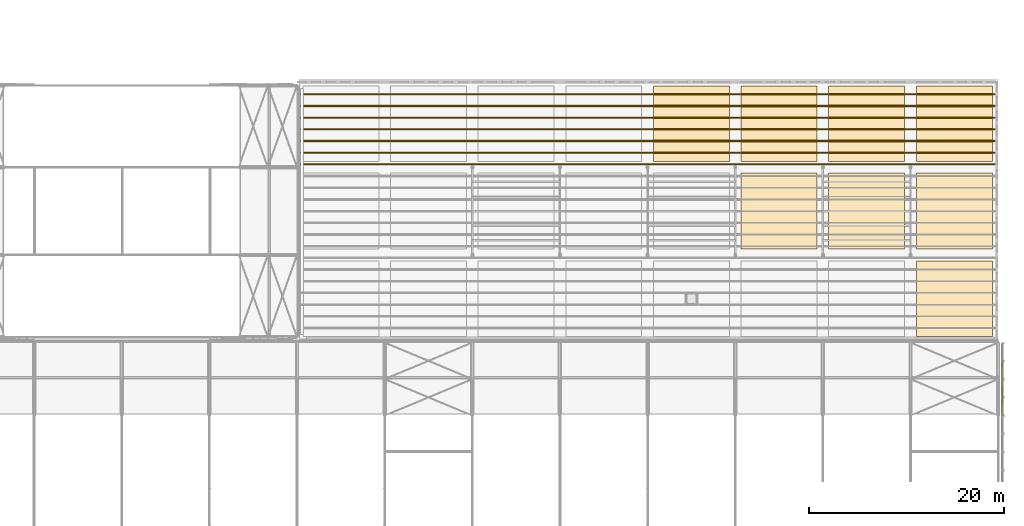
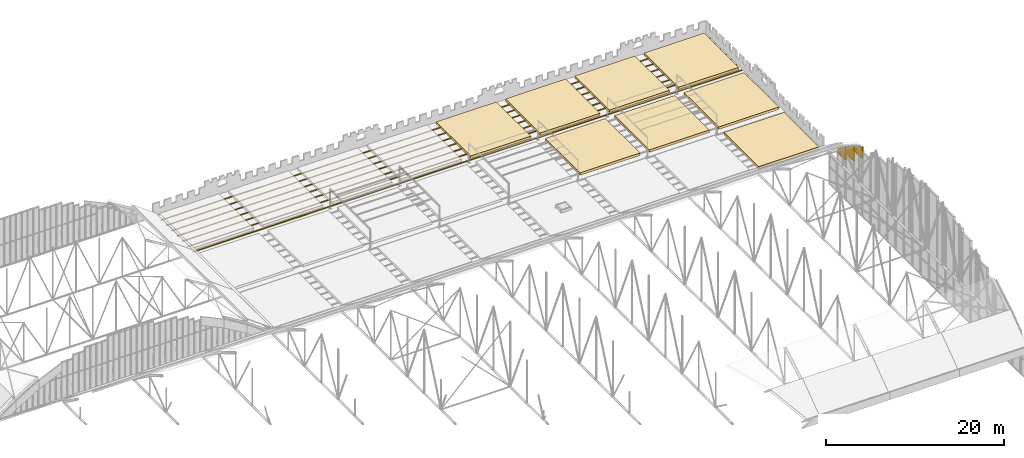
# One storey, part 147 of 153: 18 coverings.
"""IFC4 building model written with IfcOpenShell, lengths in metres."""

from ifc_helpers import new_model, si_unit, direction, frame, origin, place, context, subcontext, project, spatial, polyline, outline, extrude, material, layer, layer_set, type_object, element, save


model = new_model("IFC4")

# Units and contexts
model_context = context("Model", 3, precision=1e-05, world=origin(), true_north=direction((0.0, 1.0)))
body_context = subcontext(model_context, "Body", "Model", "MODEL_VIEW")
ifc_project = project(units=[si_unit("LENGTHUNIT", "METRE"), si_unit("AREAUNIT", "SQUARE_METRE"), si_unit("VOLUMEUNIT", "CUBIC_METRE"), si_unit("PLANEANGLEUNIT", "RADIAN"), si_unit("MASSUNIT", "GRAM", prefix="KILO")], contexts=[model_context])

# Site, building, storey
site_placement = place(None, origin())
site = spatial("IfcSite", under=ifc_project, at=site_placement, CompositionType="ELEMENT")
building_placement = place(site_placement, origin())
building = spatial("IfcBuilding", under=site, at=building_placement, Name="Baradari Gate Terminus", CompositionType="ELEMENT")
storey_placement = place(building_placement, frame((0.0, 0.0, 11.699951171875)))
storey = spatial("IfcBuildingStorey", under=building, at=storey_placement, Name="L02", CompositionType="ELEMENT", Elevation=11.699951171875)

# Coverings
ifc_material_1 = material(Name="Planted substrate")
ifc_layer_1 = layer(ifc_material_1, 0.35009765625)
ifc_layer_set_1 = layer_set([ifc_layer_1], Name="Planted substrate")
covering_type_1 = type_object("IfcCoveringType", Name="Planted roof bed GR-1 350", PredefinedType="USERDEFINED", material=ifc_layer_set_1)
covering_1_placement = place(storey_placement, origin())
element("IfcCovering", 1, at=covering_1_placement, inside=storey, type_object=covering_type_1, Name="RF/L02/GRE0503-1", ObjectType="PLANTED BED", PredefinedType="USERDEFINED", context=body_context, shape_type="SweptSolid", body=[
    extrude(outline(polyline([(207.60009765625, 107.353515625), (215.39990234375, 107.353515625), (215.39990234375, 99.60009765625), (207.60009765625, 99.60009765625), (207.60009765625, 107.353515625)])), origin(), (0.0, 0.0, 1.0), 0.35009765625),
])
covering_2_placement = place(storey_placement, origin())
element("IfcCovering", 2, at=covering_2_placement, inside=storey, type_object=covering_type_1, Name="RF/L02/GRE0602-1", ObjectType="PLANTED BED", PredefinedType="USERDEFINED", context=body_context, shape_type="SweptSolid", body=[
    extrude(outline(polyline([(216.60009765625, 98.39990234375), (224.39990234375, 98.39990234375), (224.39990234375, 90.60009765625), (216.60009765625, 90.60009765625), (216.60009765625, 98.39990234375)])), origin(), (0.0, 0.0, 1.0), 0.35009765625),
])
covering_3_placement = place(storey_placement, origin())
element("IfcCovering", 3, at=covering_3_placement, inside=storey, type_object=covering_type_1, Name="RF/L02/GRE0603-1", ObjectType="PLANTED BED", PredefinedType="USERDEFINED", context=body_context, shape_type="SweptSolid", body=[
    extrude(outline(polyline([(216.60009765625, 107.353515625), (224.39990234375, 107.353515625), (224.39990234375, 99.60009765625), (216.60009765625, 99.60009765625), (216.60009765625, 107.353515625)])), origin(), (0.0, 0.0, 1.0), 0.35009765625),
])
covering_4_placement = place(storey_placement, origin())
element("IfcCovering", 4, at=covering_4_placement, inside=storey, type_object=covering_type_1, Name="RF/L02/GRE0702-1", ObjectType="PLANTED BED", PredefinedType="USERDEFINED", context=body_context, shape_type="SweptSolid", body=[
    extrude(outline(polyline([(225.60009765625, 98.39990234375), (233.39990234375, 98.39990234375), (233.39990234375, 90.60009765625), (225.60009765625, 90.60009765625), (225.60009765625, 98.39990234375)])), origin(), (0.0, 0.0, 1.0), 0.35009765625),
])
covering_5_placement = place(storey_placement, origin())
element("IfcCovering", 5, at=covering_5_placement, inside=storey, type_object=covering_type_1, Name="RF/L02/GRE0703-1", ObjectType="PLANTED BED", PredefinedType="USERDEFINED", context=body_context, shape_type="SweptSolid", body=[
    extrude(outline(polyline([(225.60009765625, 107.353515625), (233.39990234375, 107.353515625), (233.39990234375, 99.60009765625), (225.60009765625, 99.60009765625), (225.60009765625, 107.353515625)])), origin(), (0.0, 0.0, 1.0), 0.35009765625),
])
covering_6_placement = place(storey_placement, origin())
element("IfcCovering", 6, at=covering_6_placement, inside=storey, type_object=covering_type_1, Name="RF/L02/GRE0801-1", ObjectType="PLANTED BED", PredefinedType="USERDEFINED", context=body_context, shape_type="SweptSolid", body=[
    extrude(outline(polyline([(234.60009765625, 89.39990234375), (242.39990234375, 89.39990234375), (242.39990234375, 81.60009765625), (234.60009765625, 81.60009765625), (234.60009765625, 89.39990234375)])), origin(), (0.0, 0.0, 1.0), 0.35009765625),
])
covering_7_placement = place(storey_placement, origin())
element("IfcCovering", 7, at=covering_7_placement, inside=storey, type_object=covering_type_1, Name="RF/L02/GRE0802-1", ObjectType="PLANTED BED", PredefinedType="USERDEFINED", context=body_context, shape_type="SweptSolid", body=[
    extrude(outline(polyline([(234.60009765625, 98.39990234375), (242.39990234375, 98.39990234375), (242.39990234375, 90.60009765625), (234.60009765625, 90.60009765625), (234.60009765625, 98.39990234375)])), origin(), (0.0, 0.0, 1.0), 0.35009765625),
])
covering_8_placement = place(storey_placement, origin())
element("IfcCovering", 8, at=covering_8_placement, inside=storey, type_object=covering_type_1, Name="RF/L02/GRE0803-1", ObjectType="PLANTED BED", PredefinedType="USERDEFINED", context=body_context, shape_type="SweptSolid", body=[
    extrude(outline(polyline([(234.60009765625, 107.353515625), (242.39990234375, 107.353515625), (242.39990234375, 99.60009765625), (234.60009765625, 99.60009765625), (234.60009765625, 107.353515625)])), origin(), (0.0, 0.0, 1.0), 0.35009765625),
])
ifc_material_2 = material(Name="Sandstone cladding", Category="masonry")
ifc_layer_2 = layer(ifc_material_2, 0.14990234375)
ifc_layer_set_2 = layer_set([ifc_layer_2], Name="Sandstone cladding")
covering_type_2 = type_object("IfcCoveringType", Name="Shed gable arch band GB2 150", PredefinedType="CLADDING", material=ifc_layer_set_2)
covering_9_placement = place(storey_placement, frame((243.449951171875, 73.5, 3.300048828125), z_axis=(0.0, 0.0, 1.0), x_axis=(0.0, 1.0, 0.0)))
element("IfcCovering", 9, at=covering_9_placement, inside=storey, type_object=covering_type_2, Name="Shed gable arch band 11a", PredefinedType="CLADDING", context=body_context, shape_type="SweptSolid", body=[
    extrude(outline(polyline([(1.875, 0.0), (1.875, 0.504150390625), (0.0, 1.629150390625), (0.0, 0.0), (1.875, 0.0)])), frame((0.0, 0.074951171875, 0.0), z_axis=(0.0, -1.0, 0.0), x_axis=(1.0, 0.0, 0.0)), (0.0, 0.0, 1.0), 0.14990234375),
])
covering_10_placement = place(storey_placement, frame((243.449951171875, 75.375, 1.800048828125), z_axis=(0.0, 0.0, 1.0), x_axis=(0.0, 1.0, 0.0)))
element("IfcCovering", 10, at=covering_10_placement, inside=storey, type_object=covering_type_2, Name="Shed gable arch band 11b", PredefinedType="CLADDING", context=body_context, shape_type="SweptSolid", body=[
    extrude(outline(polyline([(1.875, 0.0), (1.875, 0.879150390625), (0.0, 2.004150390625), (0.0, 0.0), (1.875, 0.0)])), frame((0.0, 0.074951171875, 0.0), z_axis=(0.0, -1.0, 0.0), x_axis=(1.0, 0.0, 0.0)), (0.0, 0.0, 1.0), 0.14990234375),
])
covering_11_placement = place(storey_placement, frame((243.449951171875, 77.25, 0.800048828125), z_axis=(0.0, 0.0, 1.0), x_axis=(0.0, 1.0, 0.0)))
element("IfcCovering", 11, at=covering_11_placement, inside=storey, type_object=covering_type_2, Name="Shed gable arch band 12a", PredefinedType="CLADDING", context=body_context, shape_type="SweptSolid", body=[
    extrude(outline(polyline([(1.875, 0.0), (1.875, 0.490966796875), (0.0, 1.865966796875), (0.0, 0.0), (1.875, 0.0)])), frame((0.0, 0.074951171875, 0.0), z_axis=(0.0, -1.0, 0.0), x_axis=(1.0, 0.0, 0.0)), (0.0, 0.0, 1.0), 0.14990234375),
])
ifc_material_3 = material(Name="Terracotta paving", Category="masonry")
ifc_layer_3 = layer(ifc_material_3, 0.050048828125)
ifc_layer_set_3 = layer_set([ifc_layer_3], Name="Terracotta paving")
covering_type_3 = type_object("IfcCoveringType", Name="Terracotta tile course RP-2 50", PredefinedType="FLOORING", material=ifc_layer_set_3)
covering_12_placement = place(storey_placement, frame((0.0, 0.0, 0.030029296875)))
element("IfcCovering", 12, at=covering_12_placement, inside=storey, type_object=covering_type_3, Name="Terracotta tile course RP-2 head-roof-east", PredefinedType="FLOORING", context=body_context, shape_type="SweptSolid", body=[
    extrude(outline(polyline([(242.625, 99.239990234375), (242.625, 99.360107421875), (171.35009765625, 99.360107421875), (171.35009765625, 99.239990234375), (242.625, 99.239990234375)])), origin(), (0.0, 0.0, 1.0), 0.050048828125),
])
covering_13_placement = place(storey_placement, frame((0.0, 0.0, 0.030029296875)))
element("IfcCovering", 13, at=covering_13_placement, inside=storey, type_object=covering_type_3, Name="Terracotta tile course RP-2 head-roof-east", PredefinedType="FLOORING", context=body_context, shape_type="SweptSolid", body=[
    extrude(outline(polyline([(242.625, 100.43994140625), (242.625, 100.56005859375), (171.35009765625, 100.56005859375), (171.35009765625, 100.43994140625), (242.625, 100.43994140625)])), origin(), (0.0, 0.0, 1.0), 0.050048828125),
])
covering_14_placement = place(storey_placement, frame((0.0, 0.0, 0.030029296875)))
element("IfcCovering", 14, at=covering_14_placement, inside=storey, type_object=covering_type_3, Name="Terracotta tile course RP-2 head-roof-east", PredefinedType="FLOORING", context=body_context, shape_type="SweptSolid", body=[
    extrude(outline(polyline([(242.625, 101.639892578125), (242.625, 101.760009765625), (171.35009765625, 101.760009765625), (171.35009765625, 101.639892578125), (242.625, 101.639892578125)])), origin(), (0.0, 0.0, 1.0), 0.050048828125),
])
covering_15_placement = place(storey_placement, frame((0.0, 0.0, 0.030029296875)))
element("IfcCovering", 15, at=covering_15_placement, inside=storey, type_object=covering_type_3, Name="Terracotta tile course RP-2 head-roof-east", PredefinedType="FLOORING", context=body_context, shape_type="SweptSolid", body=[
    extrude(outline(polyline([(242.625, 102.840087890625), (242.625, 102.9599609375), (171.35009765625, 102.9599609375), (171.35009765625, 102.840087890625), (242.625, 102.840087890625)])), origin(), (0.0, 0.0, 1.0), 0.050048828125),
])
covering_16_placement = place(storey_placement, frame((0.0, 0.0, 0.030029296875)))
element("IfcCovering", 16, at=covering_16_placement, inside=storey, type_object=covering_type_3, Name="Terracotta tile course RP-2 head-roof-east", PredefinedType="FLOORING", context=body_context, shape_type="SweptSolid", body=[
    extrude(outline(polyline([(242.625, 104.0400390625), (242.625, 104.159912109375), (171.35009765625, 104.159912109375), (171.35009765625, 104.0400390625), (242.625, 104.0400390625)])), origin(), (0.0, 0.0, 1.0), 0.050048828125),
])
covering_17_placement = place(storey_placement, frame((0.0, 0.0, 0.030029296875)))
element("IfcCovering", 17, at=covering_17_placement, inside=storey, type_object=covering_type_3, Name="Terracotta tile course RP-2 head-roof-east", PredefinedType="FLOORING", context=body_context, shape_type="SweptSolid", body=[
    extrude(outline(polyline([(242.625, 105.239990234375), (242.625, 105.360107421875), (171.35009765625, 105.360107421875), (171.35009765625, 105.239990234375), (242.625, 105.239990234375)])), origin(), (0.0, 0.0, 1.0), 0.050048828125),
])
covering_18_placement = place(storey_placement, frame((0.0, 0.0, 0.030029296875)))
element("IfcCovering", 18, at=covering_18_placement, inside=storey, type_object=covering_type_3, Name="Terracotta tile course RP-2 head-roof-east", PredefinedType="FLOORING", context=body_context, shape_type="SweptSolid", body=[
    extrude(outline(polyline([(242.625, 106.43994140625), (242.625, 106.56005859375), (171.35009765625, 106.56005859375), (171.35009765625, 106.43994140625), (242.625, 106.43994140625)])), origin(), (0.0, 0.0, 1.0), 0.050048828125),
])

save(model, "model.ifc")
